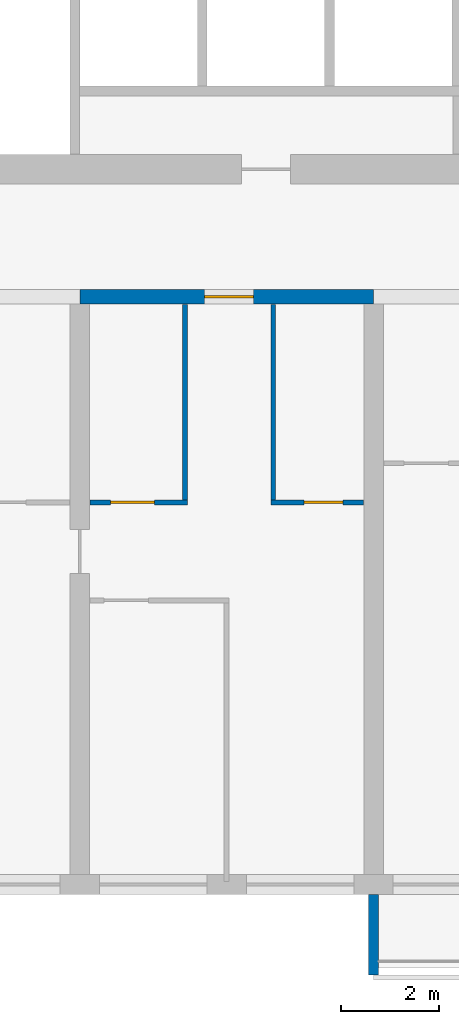
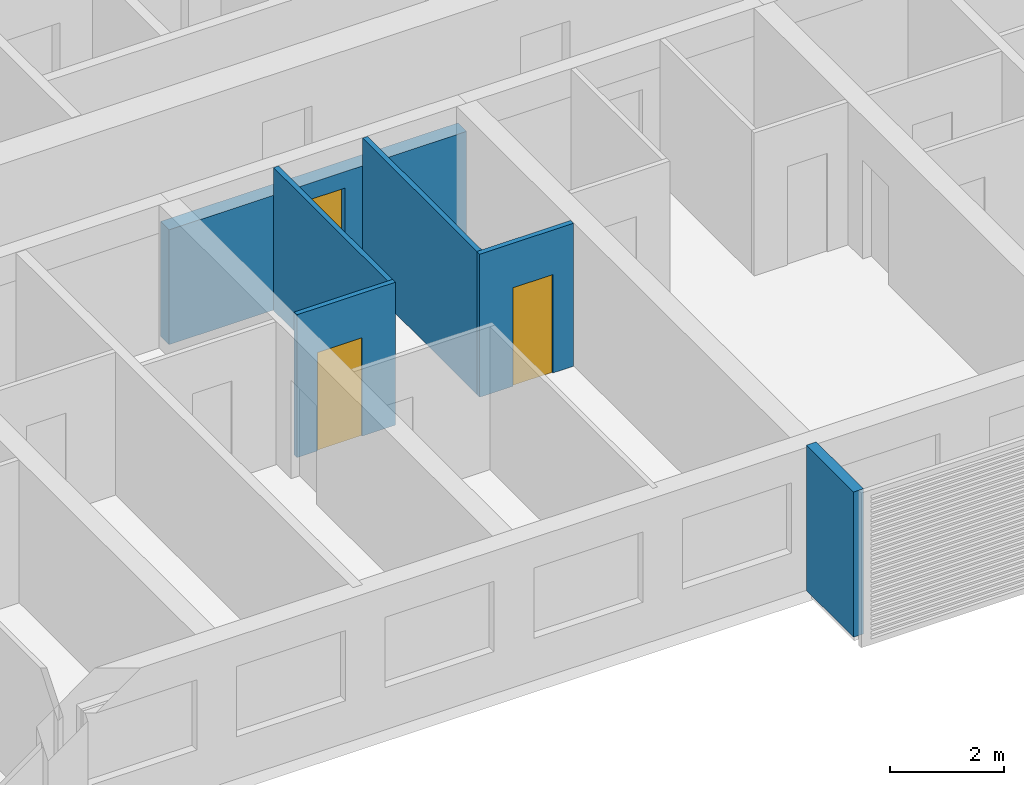
# One storey, part 4 of 40: 6 walls, 3 doors, 3 openings.
"""IFC4 building model written with IfcOpenShell, lengths in metres."""

from ifc_helpers import new_model, si_unit, direction, frame, frame_2d, origin, place, context, subcontext, project, spatial, polyline, rectangle, outline, extrude, source, transform, mapped, material, layer, layer_set, type_object, element, fill, save


model = new_model("IFC4")

# Units and contexts
model_context = context("Model", 3, precision=1e-05, world=origin(), true_north=direction((0.0, 1.0)))
body_context = subcontext(model_context, "Body", "Model", "MODEL_VIEW")
ifc_project = project(units=[si_unit("LENGTHUNIT", "METRE"), si_unit("AREAUNIT", "SQUARE_METRE"), si_unit("VOLUMEUNIT", "CUBIC_METRE"), si_unit("PLANEANGLEUNIT", "RADIAN"), si_unit("MASSUNIT", "GRAM", prefix="KILO")], contexts=[model_context])

# Site, building, storey
site_placement = place(None, origin())
site = spatial("IfcSite", under=ifc_project, at=site_placement, CompositionType="ELEMENT")
building_placement = place(site_placement, origin())
building = spatial("IfcBuilding", under=site, at=building_placement, Name="Poui Terraces", CompositionType="ELEMENT")
storey_placement = place(building_placement, frame((0.0, 0.0, 36.60009765625)))
storey = spatial("IfcBuildingStorey", under=building, at=storey_placement, Name="L09", CompositionType="ELEMENT", Elevation=36.60009765625)

# Wall, opening, door
ifc_material_1 = material(Name="Concrete 80 MPa", Category="concrete")
ifc_layer_1 = layer(ifc_material_1, 0.300048828125)
ifc_layer_set_1 = layer_set([ifc_layer_1], Name="Concrete 80 MPa")
wall_type_1 = type_object("IfcWallType", Name="CORRIDOR WALL 300 80MPa", PredefinedType="SHEAR", material=ifc_layer_set_1)
wall_1_placement = place(storey_placement, frame((42.0, 12.0, 0.0), z_axis=(0.0, 0.0, 1.0), x_axis=(1.0, 0.0, 0.0)))
wall_1 = element("IfcWall", 1, at=wall_1_placement, inside=storey, type_object=wall_type_1, Name="CORRIDOR WALL LINE B BAY 8", PredefinedType="SHEAR", context=body_context, shape_type="SweptSolid", body=[
    extrude(rectangle(XDim=6.0, YDim=0.300048828125, at=frame_2d((3.0, 0.0))), origin(), (0.0, 0.0, 1.0), 2.449951171875),
])
opening_1_placement = place(wall_1_placement, frame((2.550048828125, 0.0, 0.0)))
opening_1 = element("IfcOpeningElement", 2, at=opening_1_placement, cuts=wall_1, Name="Opening FD30S", PredefinedType="OPENING", context=body_context, shape_type="SweptSolid", body=[
    extrude(rectangle(XDim=1.0, YDim=2.10009765625, at=frame_2d((0.5, 1.050048828125))), frame((0.0, 0.16015625, 0.0), z_axis=(0.0, -1.0, 0.0), x_axis=(1.0, 0.0, 0.0)), (0.0, 0.0, 1.0), 0.320068359375),
])
ifc_material_2 = material(Name="Steel fire door", Category="steel")
door_type_1 = type_object("IfcDoorType", Name="FLAT ENTRANCE DOOR 1000 X 2100", OperationType="NOTDEFINED", PredefinedType="DOOR", material=ifc_material_2)
door_1_placement = place(opening_1_placement, frame((1.0, 0.0, 0.0), z_axis=(0.0, 0.0, 1.0), x_axis=(-1.0, 0.0, 0.0)))
door_1 = element("IfcDoor", 3, at=door_1_placement, inside=storey, type_object=door_type_1, Name="FLAT ENTRANCE DOOR 116", OperationType="SINGLE_SWING_LEFT", OverallHeight=2.10009765625, OverallWidth=1.0, PredefinedType="DOOR", context=body_context, shape_type="SweptSolid", body=[
    extrude(rectangle(XDim=1.0, YDim=2.10009765625, at=frame_2d((0.5, 1.050048828125))), frame((0.0, 0.02490234375, 0.0), z_axis=(0.0, -1.0, 0.0), x_axis=(1.0, 0.0, 0.0)), (0.0, 0.0, 1.0), 0.050048828125),
])
fill(opening_1, door_1)

ifc_material_3 = material(Name="Plasterboard partition")
ifc_layer_2 = layer(ifc_material_3, 0.10009765625)
ifc_layer_set_2 = layer_set([ifc_layer_2], Name="Plasterboard partition")
wall_type_2 = type_object("IfcWallType", Name="FLAT PARTITION 100", PredefinedType="PARTITIONING", material=ifc_layer_set_2)
wall_2_placement = place(storey_placement, frame((42.2099609375, 7.800048828125, 0.0), z_axis=(0.0, 0.0, 1.0), x_axis=(1.0, 0.0, 0.0)))
wall_2 = element("IfcWall", 4, at=wall_2_placement, inside=storey, type_object=wall_type_2, Name="FLAT PARTITION 100", PredefinedType="PARTITIONING", context=body_context, shape_type="SweptSolid", body=[
    extrude(rectangle(XDim=1.989990234375, YDim=0.10009765625, at=frame_2d((0.9951171875, 0.0))), origin(), (0.0, 0.0, 1.0), 3.0498046875),
])
opening_2_placement = place(wall_2_placement, frame((0.4150390625, 0.0, 0.0)))
opening_2 = element("IfcOpeningElement", 5, at=opening_2_placement, cuts=wall_2, Name="Opening D90", PredefinedType="OPENING", context=body_context, shape_type="SweptSolid", body=[
    extrude(rectangle(XDim=0.89990234375, YDim=2.10009765625, at=frame_2d((0.449951171875, 1.050048828125))), frame((0.0, 0.06005859375, 0.0), z_axis=(0.0, -1.0, 0.0), x_axis=(1.0, 0.0, 0.0)), (0.0, 0.0, 1.0), 0.1201171875),
])
ifc_material_4 = material(Name="Solid core timber door", Category="wood")
door_type_2 = type_object("IfcDoorType", Name="INTERNAL DOOR 900 X 2100", OperationType="NOTDEFINED", PredefinedType="DOOR", material=ifc_material_4)
door_2_placement = place(opening_2_placement, origin())
door_2 = element("IfcDoor", 6, at=door_2_placement, inside=storey, type_object=door_type_2, Name="INTERNAL DOOR 115", OperationType="SINGLE_SWING_LEFT", OverallHeight=2.10009765625, OverallWidth=0.89990234375, PredefinedType="DOOR", context=body_context, shape_type="SweptSolid", body=[
    extrude(rectangle(XDim=0.89990234375, YDim=2.10009765625, at=frame_2d((0.449951171875, 1.050048828125))), frame((0.0, 0.02490234375, 0.0), z_axis=(0.0, -1.0, 0.0), x_axis=(1.0, 0.0, 0.0)), (0.0, 0.0, 1.0), 0.050048828125),
])
fill(opening_2, door_2)

wall_3_placement = place(storey_placement, frame((45.89990234375, 7.800048828125, 0.0), z_axis=(0.0, 0.0, 1.0), x_axis=(1.0, 0.0, 0.0)))
wall_3 = element("IfcWall", 7, at=wall_3_placement, inside=storey, type_object=wall_type_2, Name="FLAT PARTITION 100", PredefinedType="PARTITIONING", context=body_context, shape_type="SweptSolid", body=[
    extrude(rectangle(XDim=1.89013671875, YDim=0.10009765625, at=frame_2d((0.945068359375, 0.0))), origin(), (0.0, 0.0, 1.0), 3.0498046875),
])
opening_3_placement = place(wall_3_placement, frame((0.675048828125, 0.0, 0.0)))
opening_3 = element("IfcOpeningElement", 8, at=opening_3_placement, cuts=wall_3, Name="Opening D80", PredefinedType="OPENING", context=body_context, shape_type="SweptSolid", body=[
    extrude(rectangle(XDim=0.800048828125, YDim=2.10009765625, at=frame_2d((0.39990234375, 1.050048828125))), frame((0.0, 0.06005859375, 0.0), z_axis=(0.0, -1.0, 0.0), x_axis=(1.0, 0.0, 0.0)), (0.0, 0.0, 1.0), 0.1201171875),
])
door_type_3 = type_object("IfcDoorType", Name="BATHROOM, LAUNDRY AND STORE DOOR 800 X 2100", OperationType="NOTDEFINED", PredefinedType="DOOR", material=ifc_material_4)
door_3_placement = place(opening_3_placement, origin())
door_3 = element("IfcDoor", 9, at=door_3_placement, inside=storey, type_object=door_type_3, Name="BATHROOM, LAUNDRY AND STORE DOOR 117", OperationType="SINGLE_SWING_RIGHT", OverallHeight=2.10009765625, OverallWidth=0.800048828125, PredefinedType="DOOR", context=body_context, shape_type="SweptSolid", body=[
    extrude(rectangle(XDim=0.800048828125, YDim=2.10009765625, at=frame_2d((0.39990234375, 1.050048828125))), frame((0.0, 0.02490234375, 0.0), z_axis=(0.0, -1.0, 0.0), x_axis=(1.0, 0.0, 0.0)), (0.0, 0.0, 1.0), 0.050048828125),
])
fill(opening_3, door_3)

# Walls
for number, where, z_axis, x_axis, name in (
    (10, (44.14990234375, 7.85009765625, 0.0), (0.0, 0.0, 1.0), (0.0, 1.0, 0.0), "FLAT PARTITION 100"),
    (11, (45.949951171875, 7.85009765625, 0.0), (0.0, 0.0, 1.0), (0.0, 1.0, 0.0), "FLAT PARTITION 100"),
):
    element("IfcWall", number, at=place(storey_placement, frame(where, z_axis=z_axis, x_axis=x_axis)), inside=storey, type_object=wall_type_2, Name=name, PredefinedType="PARTITIONING", context=body_context, shape_type="SweptSolid", body=[
        extrude(rectangle(XDim=3.989990234375, YDim=0.10009765625, at=frame_2d((1.9951171875, 0.0))), origin(), (0.0, 0.0, 1.0), 3.0498046875),
    ])
ifc_material_5 = material(Name="Precast concrete 40 MPa", Category="concrete")
ifc_layer_3 = layer(ifc_material_5, 0.199951171875)
ifc_layer_set_3 = layer_set([ifc_layer_3], Name="Precast concrete 40 MPa")
wall_type_3 = type_object("IfcWallType", Name="REAR FIN 200", PredefinedType="STANDARD", material=ifc_layer_set_3)
shared_shape = source(origin(), body_context, "Body", "SweptSolid", [
    extrude(outline(polyline([(0.0, 0.0), (0.2001953125, 0.0), (0.2001953125, 1.650146484375), (0.0, 1.650146484375), (0.0, 0.0)])), origin(), (0.0, 0.0, 1.0), 3.099853515625),
])
wall_4_placement = place(storey_placement, frame((47.89990234375, -1.85009765625, 0.0)))
element("IfcWall", 12, at=wall_4_placement, inside=storey, type_object=wall_type_3, Name="REAR FIN", PredefinedType="STANDARD", context=body_context, shape_type="MappedRepresentation", body=[
    mapped(shared_shape, transform((0.0, 0.0, 0.0))),
])

save(model, "model.ifc")
